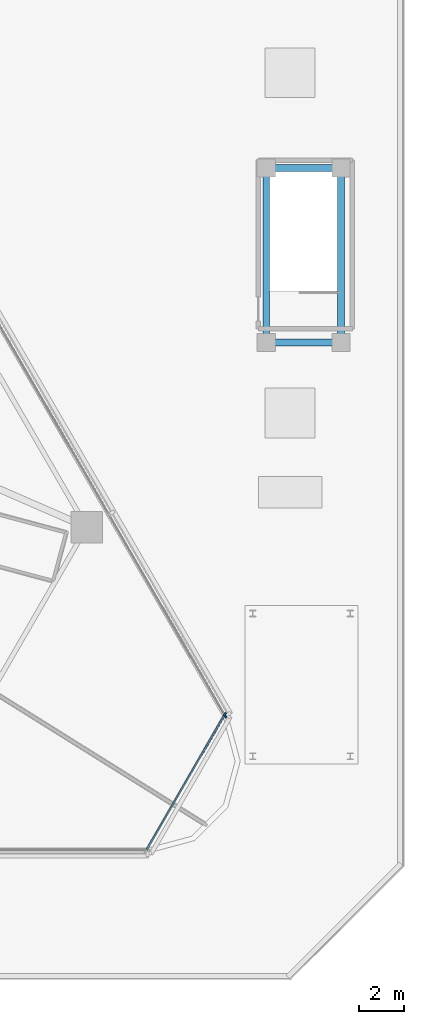
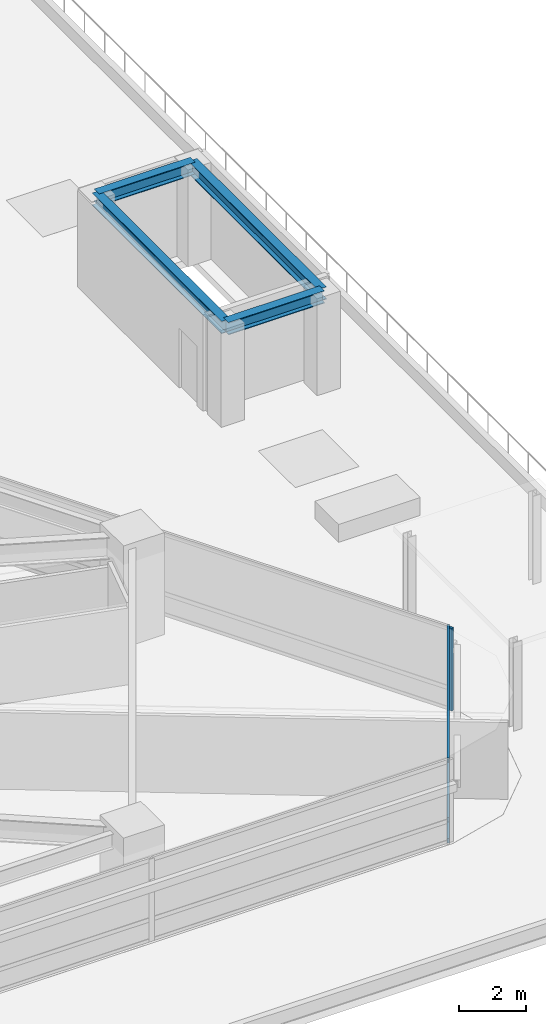
# One storey, part 13 of 23: 5 members, 4 beams, 2 elements without a shape of their own.
"""IFC4 building model written with IfcOpenShell, lengths in metres."""

from ifc_helpers import new_model, si_unit, direction, frame, origin, origin_2d, place, context, subcontext, project, spatial, rectangle, i_section, extrude, material, layer, layer_set, material_profile, profile_set, type_object, element, aggregate, save


model = new_model("IFC4")

# Units and contexts
model_context = context("Model", 3, precision=1e-05, world=origin(), true_north=direction((0.0, 1.0)))
body_context = subcontext(model_context, "Body", "Model", "MODEL_VIEW")
ifc_project = project(units=[si_unit("LENGTHUNIT", "METRE"), si_unit("AREAUNIT", "SQUARE_METRE"), si_unit("VOLUMEUNIT", "CUBIC_METRE"), si_unit("PLANEANGLEUNIT", "RADIAN"), si_unit("MASSUNIT", "GRAM", prefix="KILO")], contexts=[model_context])

# Site, building, storey
site_placement = place(None, origin())
site = spatial("IfcSite", under=ifc_project, at=site_placement, CompositionType="ELEMENT")
building_placement = place(site_placement, origin())
building = spatial("IfcBuilding", under=site, at=building_placement, Name="Terralouvre Media Tower", CompositionType="ELEMENT")
storey_placement = place(building_placement, frame((0.0, 0.0, 26.0)))
storey = spatial("IfcBuildingStorey", under=building, at=storey_placement, Name="L05", CompositionType="ELEMENT", Elevation=26.0)

# Curtain wall, members
ifc_material_1 = material(Name="Low-iron laminated double glazing with solar-control coating", Category="glass")
ifc_layer_1 = layer(ifc_material_1, 0.1650390625, Name="Rounded Wind-Corner Curved Glazing CW-04")
ifc_layer_set_1 = layer_set([ifc_layer_1], Name="Low-iron laminated double glazing with solar-control coating")
curtain_wall_type_1 = type_object("IfcCurtainWallType", Name="Rounded Wind-Corner Curved Glazing CW-04", PredefinedType="NOTDEFINED", material=ifc_layer_set_1)
curtain_wall_1_placement = place(storey_placement, origin())
curtain_wall_1 = element("IfcCurtainWall", 1, at=curtain_wall_1_placement, inside=storey, type_object=curtain_wall_type_1, Name="L05 Rounded Wind-Corner Curtain Wall C1", PredefinedType="NOTDEFINED")
ifc_material_2 = material(Name="Anodised extruded aluminium 6063-T6", Category="aluminium")
ifc_material_profile_1 = material_profile(ifc_material_2, rectangle(XDim=0.074951171875, YDim=0.14990234375, at=origin_2d()), Name="ALU 75x150")
ifc_profile_set_1 = profile_set([ifc_material_profile_1], Name="Anodised extruded aluminium 6063-T6")
member_type_1 = type_object("IfcMemberType", Name="Curtain-Wall Horizontal Transom TR-150", PredefinedType="USERDEFINED", material=ifc_profile_set_1)
member_1_placement = place(storey_placement, frame((25.666259765625, -18.78173828125, 0.03759765625), z_axis=(0.499998495495, 0.866026272409, 0.0), x_axis=(-0.866026272409, 0.499998495495, 0.0)))
member_1 = element("IfcMember", 2, at=member_1_placement, type_object=member_type_1, Name="CW-04 transom 1.1", ObjectType="TRANSOM", PredefinedType="USERDEFINED", context=body_context, shape_type="SweptSolid", body=[
    extrude(rectangle(XDim=0.074951171875, YDim=0.14990234375, at=origin_2d()), origin(), (0.0, 0.0, 1.0), 6.86474609375),
])
member_2_placement = place(storey_placement, frame((25.666259765625, -18.78173828125, 0.800048828125), z_axis=(0.499998495495, 0.866026272409, 0.0), x_axis=(-0.866026272409, 0.499998495495, 0.0)))
member_2 = element("IfcMember", 3, at=member_2_placement, type_object=member_type_1, Name="CW-04 transom 1.2", ObjectType="TRANSOM", PredefinedType="USERDEFINED", context=body_context, shape_type="SweptSolid", body=[
    extrude(rectangle(XDim=0.074951171875, YDim=0.14990234375, at=origin_2d()), origin(), (0.0, 0.0, 1.0), 6.86474609375),
])
member_3_placement = place(storey_placement, frame((25.666259765625, -18.78173828125, 2.96240234375), z_axis=(0.499998495495, 0.866026272409, 0.0), x_axis=(-0.866026272409, 0.499998495495, 0.0)))
member_3 = element("IfcMember", 4, at=member_3_placement, type_object=member_type_1, Name="CW-04 transom 1.3", ObjectType="TRANSOM", PredefinedType="USERDEFINED", context=body_context, shape_type="SweptSolid", body=[
    extrude(rectangle(XDim=0.074951171875, YDim=0.14990234375, at=origin_2d()), origin(), (0.0, 0.0, 1.0), 6.86474609375),
])

# Curtain wall, member
ifc_material_3 = material(Name="Low-iron laminated double glazing with solar-control coating", Category="glass")
ifc_layer_2 = layer(ifc_material_3, 0.1650390625, Name="Lower Media Tower Unitised Curtain Wall CW-02")
ifc_layer_set_2 = layer_set([ifc_layer_2], Name="Low-iron laminated double glazing with solar-control coating")
curtain_wall_type_2 = type_object("IfcCurtainWallType", Name="Lower Media Tower Unitised Curtain Wall CW-02", PredefinedType="NOTDEFINED", material=ifc_layer_set_2)
curtain_wall_2_placement = place(storey_placement, origin())
curtain_wall_2 = element("IfcCurtainWall", 5, at=curtain_wall_2_placement, inside=storey, type_object=curtain_wall_type_2, Name="L05 Facade Curtain Wall F1", PredefinedType="NOTDEFINED")
ifc_material_4 = material(Name="Anodised extruded aluminium 6063-T6", Category="aluminium")
ifc_material_profile_2 = material_profile(ifc_material_4, rectangle(XDim=0.074951171875, YDim=0.179931640625, at=origin_2d()), Name="ALU 75x180")
ifc_profile_set_2 = profile_set([ifc_material_profile_2], Name="Anodised extruded aluminium 6063-T6")
member_type_2 = type_object("IfcMemberType", Name="Curtain-Wall Vertical Mullion ML-180", PredefinedType="MULLION", material=ifc_profile_set_2)
member_4_placement = place(storey_placement, frame((29.134765625, -12.869384765625, 0.0), z_axis=(0.0, 0.0, 1.0), x_axis=(-0.866025412057, -0.499999985671, 0.0)))
member_4 = element("IfcMember", 6, at=member_4_placement, type_object=member_type_2, Name="CW-02 mullion 1", PredefinedType="MULLION", context=body_context, shape_type="SweptSolid", body=[
    extrude(rectangle(XDim=0.074951171875, YDim=0.179931640625, at=origin_2d()), origin(), (0.0, 0.0, 1.0), 3.0),
])
aggregate(curtain_wall_2, [member_4])

# Member
member_5_placement = place(storey_placement, frame((29.117431640625, -12.80419921875, 0.0), z_axis=(0.0, 0.0, 1.0), x_axis=(-0.866025581895, 0.499999691503, 0.0)))
member_5 = element("IfcMember", 7, at=member_5_placement, type_object=member_type_2, Name="CW-04 mullion 2", PredefinedType="MULLION", context=body_context, shape_type="SweptSolid", body=[
    extrude(rectangle(XDim=0.074951171875, YDim=0.179931640625, at=origin_2d()), origin(), (0.0, 0.0, 1.0), 3.0),
])

aggregate(curtain_wall_1, [member_5, member_1, member_2, member_3])

# Beams
ifc_material_5 = material(Name="Structural steel S355J2", Category="steel")
ifc_material_profile_3 = material_profile(ifc_material_5, i_section(OverallWidth=0.300048828125, OverallDepth=0.449951171875, WebThickness=0.013916015625, FlangeThickness=0.02587890625, at=origin_2d()), Name="HEB 450")
ifc_profile_set_3 = profile_set([ifc_material_profile_3], Name="Structural steel S355J2")
beam_type = type_object("IfcBeamType", Name="Primary Floor Girder B-HEB450 (HEB 450)", PredefinedType="BEAM", material=ifc_profile_set_3)
beam_1_placement = place(storey_placement, frame((30.949951171875, 3.60009765625, 3.294921875), z_axis=(1.0, 0.0, 0.0), x_axis=(0.0, 1.0, 0.0)))
element("IfcBeam", 8, at=beam_1_placement, inside=storey, type_object=beam_type, Name="L05 Framing Beam BM-L05-PVST41", PredefinedType="BEAM", context=body_context, shape_type="SweptSolid", body=[
    extrude(i_section(OverallWidth=0.300048828125, OverallDepth=0.449951171875, WebThickness=0.013916015625, FlangeThickness=0.02587890625, at=origin_2d()), origin(), (0.0, 0.0, 1.0), 3.300048828125),
])
beam_2_placement = place(storey_placement, frame((34.25, 3.60009765625, 3.294921875), z_axis=(0.0, 1.0, 0.0), x_axis=(-1.0, 0.0, 0.0)))
element("IfcBeam", 9, at=beam_2_placement, inside=storey, type_object=beam_type, Name="L05 Framing Beam BM-L05-PVST42", PredefinedType="BEAM", context=body_context, shape_type="SweptSolid", body=[
    extrude(i_section(OverallWidth=0.300048828125, OverallDepth=0.449951171875, WebThickness=0.013916015625, FlangeThickness=0.02587890625, at=origin_2d()), origin(), (0.0, 0.0, 1.0), 7.699951171875),
])
beam_3_placement = place(storey_placement, frame((34.25, 11.300048828125, 3.294921875), z_axis=(-1.0, 0.0, 0.0), x_axis=(0.0, -1.0, 0.0)))
element("IfcBeam", 10, at=beam_3_placement, inside=storey, type_object=beam_type, Name="L05 Framing Beam BM-L05-PVST43", PredefinedType="BEAM", context=body_context, shape_type="SweptSolid", body=[
    extrude(i_section(OverallWidth=0.300048828125, OverallDepth=0.449951171875, WebThickness=0.013916015625, FlangeThickness=0.02587890625, at=origin_2d()), origin(), (0.0, 0.0, 1.0), 3.300048828125),
])
beam_4_placement = place(storey_placement, frame((30.949951171875, 11.300048828125, 3.294921875), z_axis=(0.0, -1.0, 0.0), x_axis=(1.0, 0.0, 0.0)))
element("IfcBeam", 11, at=beam_4_placement, inside=storey, type_object=beam_type, Name="L05 Framing Beam BM-L05-PVST44", PredefinedType="BEAM", context=body_context, shape_type="SweptSolid", body=[
    extrude(i_section(OverallWidth=0.300048828125, OverallDepth=0.449951171875, WebThickness=0.013916015625, FlangeThickness=0.02587890625, at=origin_2d()), origin(), (0.0, 0.0, 1.0), 7.699951171875),
])

save(model, "model.ifc")
